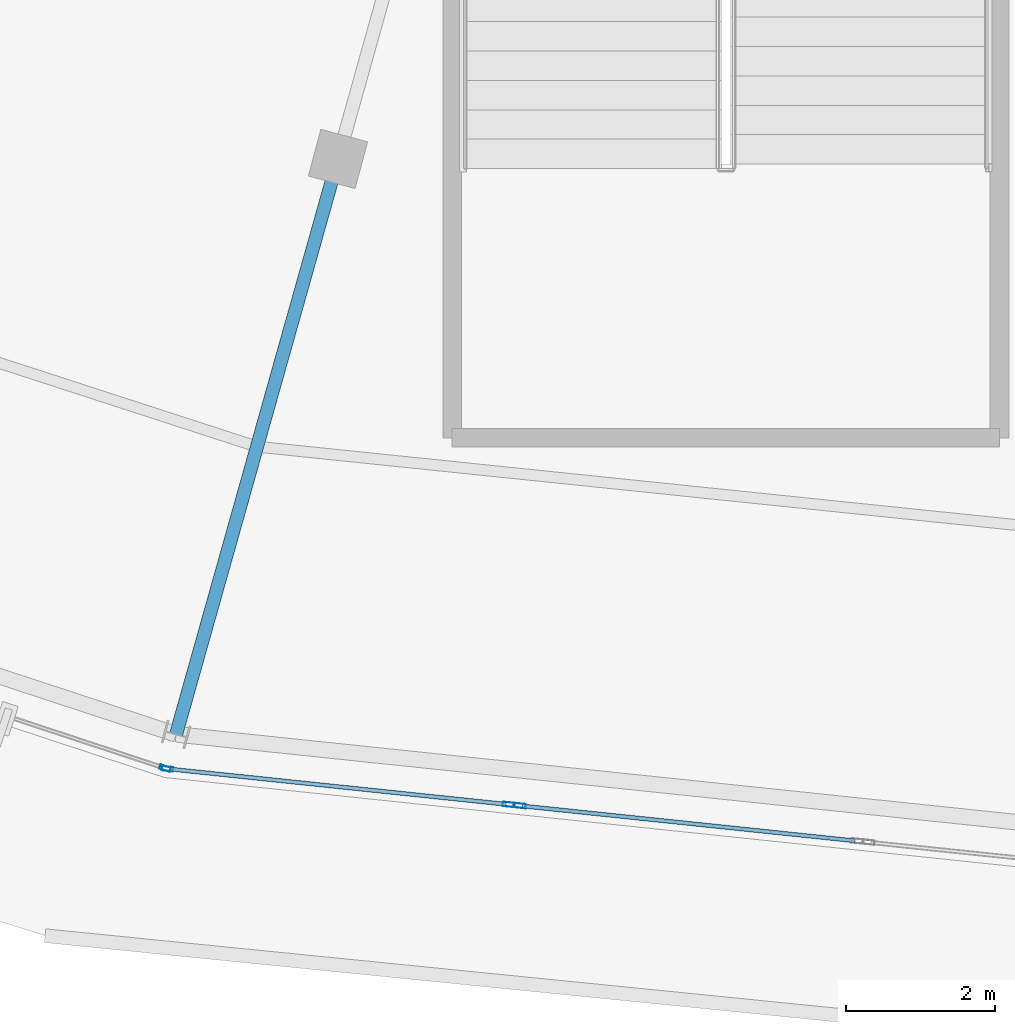
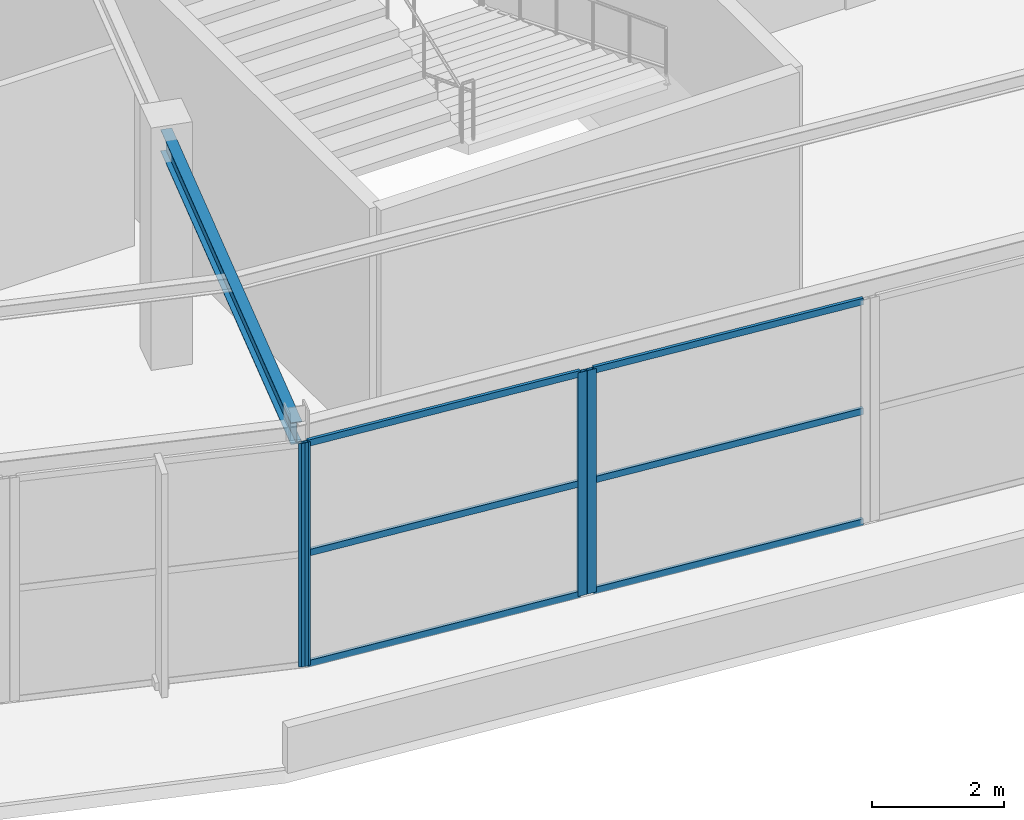
# One storey, part 33 of 126: 10 members, 1 beam, 3 elements without a shape of their own.
"""IFC4 building model written with IfcOpenShell, lengths in metres."""

import ifcopenshell
import ifcopenshell.guid

model = None  # the IFC model being written
_history = None  # IfcOwnerHistory: only IFC2X3 demands one
_inside = {}  # id of a spatial element -> (the spatial element, [elements in it])
_under = {}  # id of a project, library or spatial element -> (it, [spatial elements below it])
_declared = {}  # id of a project -> (the project, [libraries it declares])
_typed = {}  # id of a type object -> (the type object, [elements of that type])
_made_of = {}  # id of a material, layer set ... -> (it, [elements and type objects made of it])


def new_model(schema):
    """Start an empty IFC model of exactly this schema.

    Asked for "IFC4X3", IfcOpenShell would pick the latest addendum, in which some entities
    have other attributes; the version numbers below select the first issue.
    IFC2X3 requires an IfcOwnerHistory on every rooted entity: one is made here for all.
    """
    global model, _history
    if schema == "IFC4X3":
        model = ifcopenshell.file(schema_version=(4, 3, 0, 0))
    else:
        model = ifcopenshell.file(schema=schema)
    _inside.clear()
    _under.clear()
    _declared.clear()
    _typed.clear()
    _made_of.clear()
    _history = None
    if model.schema == "IFC2X3":
        org = make("IfcOrganization", Name="unknown")
        user = make(
            "IfcPersonAndOrganization",
            ThePerson=make("IfcPerson", FamilyName="unknown"),
            TheOrganization=org,
        )
        app = make(
            "IfcApplication",
            ApplicationDeveloper=org,
            Version="unknown",
            ApplicationFullName="unknown",
            ApplicationIdentifier="unknown",
        )
        _history = make(
            "IfcOwnerHistory",
            OwningUser=user,
            OwningApplication=app,
            ChangeAction="ADDED",
            CreationDate=0,
        )
    return model


def make(cls, **values):
    """One entity of the class cls with the attributes given. An attribute that is None is left unset."""
    return model.create_entity(
        cls, **{name: value for name, value in values.items() if value is not None}
    )


def rooted(cls, **values):
    """An entity with a GlobalId (a new one), such as an element, a storey or a relation."""
    return make(cls, GlobalId=ifcopenshell.guid.new(), OwnerHistory=_history, **values)


def si_unit(unit_type, name, prefix=None):
    """IfcSIUnit, for example si_unit("LENGTHUNIT", "METRE", prefix="MILLI")."""
    return make("IfcSIUnit", UnitType=unit_type, Prefix=prefix, Name=name)


def assignment(units):
    """IfcUnitAssignment: the units of a project."""
    return None if units is None else make("IfcUnitAssignment", Units=units)


def point(xyz):
    """IfcCartesianPoint."""
    return None if xyz is None else make("IfcCartesianPoint", Coordinates=xyz)


def direction(xyz):
    """IfcDirection."""
    return None if xyz is None else make("IfcDirection", DirectionRatios=xyz)


def frame(location, z_axis=None, x_axis=None):
    """IfcAxis2Placement3D, a coordinate frame: its origin and axes. An axis left out is left unset."""
    return make(
        "IfcAxis2Placement3D",
        Location=point(location),
        Axis=direction(z_axis),
        RefDirection=direction(x_axis),
    )


def frame_2d(location, x_axis=None):
    """IfcAxis2Placement2D, a coordinate frame in the plane: its origin and x axis."""
    return make(
        "IfcAxis2Placement2D", Location=point(location), RefDirection=direction(x_axis)
    )


def origin():
    """The frame at (0, 0, 0) with its axes left unset."""
    return frame((0.0, 0.0, 0.0))


def origin_2d():
    """The frame at (0, 0) in the plane with its x axis left unset."""
    return frame_2d((0.0, 0.0))


def place(relative_to, where):
    """IfcLocalPlacement: puts the frame where relative to a parent placement (None: the world)."""
    return make(
        "IfcLocalPlacement", PlacementRelTo=relative_to, RelativePlacement=where
    )


def context(
    kind, dimensions, precision=None, world=None, true_north=None, identifier=None
):
    """IfcGeometricRepresentationContext, for example the 3D "Model" context."""
    return make(
        "IfcGeometricRepresentationContext",
        ContextIdentifier=identifier,
        ContextType=kind,
        CoordinateSpaceDimension=dimensions,
        Precision=precision,
        WorldCoordinateSystem=world,
        TrueNorth=true_north,
    )


def subcontext(parent, identifier, kind, view, scale=None):
    """IfcGeometricRepresentationSubContext, for example "Body" below "Model"."""
    return make(
        "IfcGeometricRepresentationSubContext",
        ContextIdentifier=identifier,
        ContextType=kind,
        ParentContext=parent,
        TargetScale=scale,
        TargetView=view,
    )


def project(units=None, contexts=None):
    """IfcProject with its units and contexts."""
    return rooted(
        "IfcProject",
        Name="project",
        RepresentationContexts=contexts,
        UnitsInContext=assignment(units),
    )


def spatial(cls, under=None, at=None, **own):
    """A site, building, storey or space (cls), placed at a placement, below another one or the project."""
    s = rooted(cls, ObjectPlacement=at, **own)
    if under is not None:
        _under.setdefault(under.id(), (under, []))[1].append(s)
    return s


def profile(cls, at=None, kind="AREA", **sizes):
    """A parametric profile (cls). Its sizes go by their IFC names, for example OverallWidth=200.0."""
    return make(cls, ProfileType=kind, Position=at, **sizes)


def hollow_rectangle(**sizes):
    """IfcRectangleHollowProfileDef."""
    return profile("IfcRectangleHollowProfileDef", **sizes)


def i_section(**sizes):
    """IfcIShapeProfileDef."""
    return profile("IfcIShapeProfileDef", **sizes)


def extrude(swept, where, along, depth):
    """IfcExtrudedAreaSolid: the profile swept, set in the frame where, extruded along a direction by depth."""
    return make(
        "IfcExtrudedAreaSolid",
        SweptArea=swept,
        Position=where,
        ExtrudedDirection=direction(along),
        Depth=depth,
    )


def shape(context_of_items, identifier, shape_type, items):
    """IfcShapeRepresentation: the items that make up one representation, for example the "Body"."""
    return make(
        "IfcShapeRepresentation",
        ContextOfItems=context_of_items,
        RepresentationIdentifier=identifier,
        RepresentationType=shape_type,
        Items=items,
    )


def material(Name=None, Category=None):
    """IfcMaterial."""
    return make("IfcMaterial", Name=Name, Category=Category)


def layer(
    of_material, thickness, ventilated=None, Name=None, Category=None, Priority=None
):
    """IfcMaterialLayer: one layer of a wall or slab, of a material (None: an air gap)."""
    return make(
        "IfcMaterialLayer",
        Material=of_material,
        LayerThickness=thickness,
        IsVentilated=ventilated,
        Name=Name,
        Category=Category,
        Priority=Priority,
    )


def layer_set(layers, Name=None):
    """IfcMaterialLayerSet."""
    return make("IfcMaterialLayerSet", MaterialLayers=layers, LayerSetName=Name)


def material_profile(
    of_material, cross_section, Name=None, Category=None, Priority=None
):
    """IfcMaterialProfile: a cross section and its material."""
    return make(
        "IfcMaterialProfile",
        Name=Name,
        Material=of_material,
        Profile=cross_section,
        Priority=Priority,
        Category=Category,
    )


def profile_set(profiles, Name=None, composite=None):
    """IfcMaterialProfileSet."""
    return make(
        "IfcMaterialProfileSet",
        Name=Name,
        MaterialProfiles=profiles,
        CompositeProfile=composite,
    )


def made_of(thing, what):
    """Note that an element or type object is made of a material, layer set ...; save() writes the relation."""
    if what is not None:
        _made_of.setdefault(what.id(), (what, []))[1].append(thing)
    return thing


def type_object(cls, material=None, **own):
    """A type object (cls), such as IfcWallType, which elements share."""
    return made_of(rooted(cls, **own), material)


def element(
    cls,
    number,
    at=None,
    inside=None,
    cuts=None,
    type_object=None,
    material=None,
    context=None,
    identifier="Body",
    shape_type=None,
    held_by="IfcProductDefinitionShape",
    body=None,
    shapes=None,
    **own,
):
    """One element of the class cls, such as IfcWall. Its Tag is "e" and its number.

    at: its placement. inside: the storey or other place that contains it. cuts: it is an
    opening in that element (IfcRelVoidsElement). A single representation is given by context,
    identifier, shape_type and body (its items); several are given by shapes. held_by: the class
    of the entity that holds the representations. save() writes the other relations.
    """
    e = rooted(cls, Tag="e%d" % number, ObjectPlacement=at, **own)
    if body is not None:
        shapes = [shape(context, identifier, shape_type, body)]
    if shapes is not None:
        e.Representation = make(held_by, Representations=shapes)
    if inside is not None:
        _inside.setdefault(inside.id(), (inside, []))[1].append(e)
    if cuts is not None:
        rooted(
            "IfcRelVoidsElement", RelatingBuildingElement=cuts, RelatedOpeningElement=e
        )
    if type_object is not None:
        _typed.setdefault(type_object.id(), (type_object, []))[1].append(e)
    return made_of(e, material)


def aggregate(whole, parts):
    """IfcRelAggregates: a whole, such as a stair, and the parts it consists of."""
    return rooted("IfcRelAggregates", RelatingObject=whole, RelatedObjects=parts)


def save(model, path):
    """Write the relations noted so far, then the file.

    IfcRelAggregates (storeys below a building ...), IfcRelContainedInSpatialStructure (elements
    in a storey), IfcRelDefinesByType, IfcRelAssociatesMaterial and IfcRelDeclares: one each for
    every whole, place, type object, material and project.
    """
    for whole, parts in _under.values():
        aggregate(whole, parts)
    for where, things in _inside.values():
        rooted(
            "IfcRelContainedInSpatialStructure",
            RelatedElements=things,
            RelatingStructure=where,
        )
    for kind, things in _typed.values():
        rooted("IfcRelDefinesByType", RelatedObjects=things, RelatingType=kind)
    for what, things in _made_of.values():
        rooted("IfcRelAssociatesMaterial", RelatedObjects=things, RelatingMaterial=what)
    for by, libraries in _declared.values():
        rooted("IfcRelDeclares", RelatingContext=by, RelatedDefinitions=libraries)
    model.write(path)


model = new_model("IFC4")

# Units and contexts
model_context = context("Model", 3, precision=1e-05, world=origin(), true_north=direction((0.0, 1.0)))
body_context = subcontext(model_context, "Body", "Model", "MODEL_VIEW")
ifc_project = project(units=[si_unit("LENGTHUNIT", "METRE"), si_unit("AREAUNIT", "SQUARE_METRE"), si_unit("VOLUMEUNIT", "CUBIC_METRE"), si_unit("PLANEANGLEUNIT", "RADIAN"), si_unit("MASSUNIT", "GRAM", prefix="KILO")], contexts=[model_context])

# Site, building, storey
site_placement = place(None, origin())
site = spatial("IfcSite", under=ifc_project, at=site_placement, CompositionType="ELEMENT")
building_placement = place(site_placement, origin())
building = spatial("IfcBuilding", under=site, at=building_placement, Name="Kalgoora Escarpment Arena", CompositionType="ELEMENT")
storey_placement = place(building_placement, frame((0.0, 0.0, 18.89990234375)))
storey = spatial("IfcBuildingStorey", under=building, at=storey_placement, Name="L04", CompositionType="ELEMENT", Elevation=18.89990234375)

# Beam
ifc_material_1 = material(Name="Structural steel AS/NZS 3679 (300 MPa)", Category="steel")
ifc_material_profile_1 = material_profile(ifc_material_1, i_section(OverallWidth=0.177978515625, OverallDepth=0.406005859375, WebThickness=0.0078125, FlangeThickness=0.0126953125, at=origin_2d()))
ifc_profile_set_1 = profile_set([ifc_material_profile_1], Name="Structural steel AS/NZS 3679 (300 MPa)")
beam_type = type_object("IfcBeamType", Name="BM-GIRDER-410UB59.7", PredefinedType="USERDEFINED", material=ifc_profile_set_1)
beam_placement = place(storey_placement, frame((75.990966796875, 16.669677734375, 4.007080078125), z_axis=(-0.27082660355, -0.962628147734, 0.0), x_axis=(0.962628147734, -0.27082660355, 0.0)))
element("IfcBeam", 1, at=beam_placement, inside=storey, type_object=beam_type, Name="L04 Radial concourse girder 410UB59.7", ObjectType="GIRDER", PredefinedType="USERDEFINED", context=body_context, shape_type="SweptSolid", body=[
    extrude(i_section(OverallWidth=0.177978515625, OverallDepth=0.406005859375, WebThickness=0.0078125, FlangeThickness=0.0126953125, at=origin_2d()), origin(), (0.0, 0.0, 1.0), 8.027587890625),
])

# Curtain wall, member
ifc_material_2 = material(Name=" Champagne anodised aluminium & double-glazed low-E", Category="aluminium")
ifc_layer_1 = layer(ifc_material_2, 0.157958984375)
ifc_layer_set_1 = layer_set([ifc_layer_1], Name="CW-UNIT-17")
curtain_wall_type_1 = type_object("IfcCurtainWallType", Name="CW-UNIT-17", PredefinedType="NOTDEFINED", material=ifc_layer_set_1)
curtain_wall_1_placement = place(storey_placement, origin())
curtain_wall_1 = element("IfcCurtainWall", 2, at=curtain_wall_1_placement, inside=storey, type_object=curtain_wall_type_1, Name="L04 unitised facade curtain wall 116", PredefinedType="NOTDEFINED")
ifc_material_3 = material(Name="Anodised aluminium 6063-T6", Category="aluminium")
ifc_material_profile_2 = material_profile(ifc_material_3, hollow_rectangle(XDim=0.06005859375, YDim=0.14990234375, WallThickness=0.00341796875, at=origin_2d()))
ifc_profile_set_2 = profile_set([ifc_material_profile_2], Name="Anodised aluminium 6063-T6")
member_type_1 = type_object("IfcMemberType", Name="MEM-CW-MULL-150", PredefinedType="MULLION", material=ifc_profile_set_2)
member_1_placement = place(storey_placement, frame((78.438232421875, 7.983154296875, 0.02001953125), z_axis=(0.0, 0.0, 1.0), x_axis=(-0.104182310405, -0.994558216596, 0.0)))
member_1 = element("IfcMember", 3, at=member_1_placement, type_object=member_type_1, Name="CW-17 mullion 2", PredefinedType="MULLION", context=body_context, shape_type="SweptSolid", body=[
    extrude(hollow_rectangle(XDim=0.06005859375, YDim=0.14990234375, WallThickness=0.00341796875, at=origin_2d()), origin(), (0.0, 0.0, 1.0), 4.150146484375),
])

# Curtain wall, members
ifc_material_4 = material(Name=" Champagne anodised aluminium & double-glazed low-E", Category="aluminium")
ifc_layer_2 = layer(ifc_material_4, 0.162109375)
ifc_layer_set_2 = layer_set([ifc_layer_2], Name="CW-UNIT-18")
curtain_wall_type_2 = type_object("IfcCurtainWallType", Name="CW-UNIT-18", PredefinedType="NOTDEFINED", material=ifc_layer_set_2)
curtain_wall_2_placement = place(storey_placement, origin())
curtain_wall_2 = element("IfcCurtainWall", 4, at=curtain_wall_2_placement, inside=storey, type_object=curtain_wall_type_2, Name="L04 unitised facade curtain wall 117", PredefinedType="NOTDEFINED")
member_2_placement = place(storey_placement, frame((78.279052734375, 7.999755859375, 0.02001953125), z_axis=(0.0, 0.0, 1.0), x_axis=(-0.10415754759, -0.994560810247, 0.0)))
member_2 = element("IfcMember", 5, at=member_2_placement, type_object=member_type_1, Name="CW-18 mullion 1", PredefinedType="MULLION", context=body_context, shape_type="SweptSolid", body=[
    extrude(hollow_rectangle(XDim=0.06005859375, YDim=0.14990234375, WallThickness=0.00341796875, at=origin_2d()), origin(), (0.0, 0.0, 1.0), 4.150146484375),
])
member_3_placement = place(storey_placement, frame((73.703857421875, 8.478759765625, 0.02001953125), z_axis=(0.0, 0.0, 1.0), x_axis=(-0.10415754759, -0.994560810247, 0.0)))
member_3 = element("IfcMember", 6, at=member_3_placement, type_object=member_type_1, Name="CW-18 mullion 2", PredefinedType="MULLION", context=body_context, shape_type="SweptSolid", body=[
    extrude(hollow_rectangle(XDim=0.06005859375, YDim=0.14990234375, WallThickness=0.00341796875, at=origin_2d()), origin(), (0.0, 0.0, 1.0), 4.150146484375),
])

# Curtain wall, member
ifc_material_5 = material(Name=" Champagne anodised aluminium & double-glazed low-E", Category="aluminium")
ifc_layer_3 = layer(ifc_material_5, 0.166015625)
ifc_layer_set_3 = layer_set([ifc_layer_3], Name="CW-UNIT-19")
curtain_wall_type_3 = type_object("IfcCurtainWallType", Name="CW-UNIT-19", PredefinedType="NOTDEFINED", material=ifc_layer_set_3)
curtain_wall_3_placement = place(storey_placement, origin())
curtain_wall_3 = element("IfcCurtainWall", 7, at=curtain_wall_3_placement, inside=storey, type_object=curtain_wall_type_3, Name="L04 unitised facade curtain wall 118", PredefinedType="NOTDEFINED")
member_4_placement = place(storey_placement, frame((73.670654296875, 8.486083984375, 0.02001953125), z_axis=(0.0, 0.0, 1.0), x_axis=(-0.312979322933, -0.949759939888, 0.0)))
member_4 = element("IfcMember", 8, at=member_4_placement, type_object=member_type_1, Name="CW-19 mullion 1", PredefinedType="MULLION", context=body_context, shape_type="SweptSolid", body=[
    extrude(hollow_rectangle(XDim=0.06005859375, YDim=0.14990234375, WallThickness=0.00341796875, at=origin_2d()), origin(), (0.0, 0.0, 1.0), 4.150146484375),
])
aggregate(curtain_wall_3, [member_4])

# Member
ifc_material_6 = material(Name="Anodised aluminium 6063-T6", Category="aluminium")
ifc_material_profile_3 = material_profile(ifc_material_6, hollow_rectangle(XDim=0.054931640625, YDim=0.1201171875, WallThickness=0.003173828125, at=origin_2d()))
ifc_profile_set_3 = profile_set([ifc_material_profile_3], Name="Anodised aluminium 6063-T6")
member_type_2 = type_object("IfcMemberType", Name="MEM-CW-TRAN-120", PredefinedType="USERDEFINED", material=ifc_profile_set_3)
member_5_placement = place(storey_placement, frame((82.933837890625, 7.51220703125, 0.047607421875), z_axis=(-0.994558948875, 0.104175319596, 0.0), x_axis=(-0.104175319596, -0.994558948875, 0.0)))
member_5 = element("IfcMember", 9, at=member_5_placement, type_object=member_type_2, Name="CW-17 transom 1.1", ObjectType="TRANSOM", PredefinedType="USERDEFINED", context=body_context, shape_type="SweptSolid", body=[
    extrude(hollow_rectangle(XDim=0.054931640625, YDim=0.1201171875, WallThickness=0.003173828125, at=origin_2d()), origin(), (0.0, 0.0, 1.0), 4.490234375),
])

member_6_placement = place(storey_placement, frame((82.933837890625, 7.51220703125, 2.10498046875), z_axis=(-0.994558948875, 0.104175319596, 0.0), x_axis=(-0.104175319596, -0.994558948875, 0.0)))
member_6 = element("IfcMember", 10, at=member_6_placement, type_object=member_type_2, Name="CW-17 transom 1.2", ObjectType="TRANSOM", PredefinedType="USERDEFINED", context=body_context, shape_type="SweptSolid", body=[
    extrude(hollow_rectangle(XDim=0.054931640625, YDim=0.1201171875, WallThickness=0.003173828125, at=origin_2d()), origin(), (0.0, 0.0, 1.0), 4.490234375),
])

member_7_placement = place(storey_placement, frame((82.933837890625, 7.51220703125, 4.142578125), z_axis=(-0.994558948875, 0.104175319596, 0.0), x_axis=(-0.104175319596, -0.994558948875, 0.0)))
member_7 = element("IfcMember", 11, at=member_7_placement, type_object=member_type_2, Name="CW-17 transom 1.3", ObjectType="TRANSOM", PredefinedType="USERDEFINED", context=body_context, shape_type="SweptSolid", body=[
    extrude(hollow_rectangle(XDim=0.054931640625, YDim=0.1201171875, WallThickness=0.003173828125, at=origin_2d()), origin(), (0.0, 0.0, 1.0), 4.490234375),
])

aggregate(curtain_wall_1, [member_1, member_5, member_6, member_7])

member_8_placement = place(storey_placement, frame((78.249267578125, 8.0029296875, 0.047607421875), z_axis=(-0.994560999051, 0.104155744764, 0.0), x_axis=(-0.104155744764, -0.994560999051, 0.0)))
member_8 = element("IfcMember", 12, at=member_8_placement, type_object=member_type_2, Name="CW-18 transom 1.1", ObjectType="TRANSOM", PredefinedType="USERDEFINED", context=body_context, shape_type="SweptSolid", body=[
    extrude(hollow_rectangle(XDim=0.054931640625, YDim=0.1201171875, WallThickness=0.003173828125, at=origin_2d()), origin(), (0.0, 0.0, 1.0), 4.540283203125),
])

member_9_placement = place(storey_placement, frame((78.249267578125, 8.0029296875, 2.10498046875), z_axis=(-0.994560999051, 0.104155744764, 0.0), x_axis=(-0.104155744764, -0.994560999051, 0.0)))
member_9 = element("IfcMember", 13, at=member_9_placement, type_object=member_type_2, Name="CW-18 transom 1.2", ObjectType="TRANSOM", PredefinedType="USERDEFINED", context=body_context, shape_type="SweptSolid", body=[
    extrude(hollow_rectangle(XDim=0.054931640625, YDim=0.1201171875, WallThickness=0.003173828125, at=origin_2d()), origin(), (0.0, 0.0, 1.0), 4.540283203125),
])

member_10_placement = place(storey_placement, frame((78.249267578125, 8.0029296875, 4.142578125), z_axis=(-0.994560999051, 0.104155744764, 0.0), x_axis=(-0.104155744764, -0.994560999051, 0.0)))
member_10 = element("IfcMember", 14, at=member_10_placement, type_object=member_type_2, Name="CW-18 transom 1.3", ObjectType="TRANSOM", PredefinedType="USERDEFINED", context=body_context, shape_type="SweptSolid", body=[
    extrude(hollow_rectangle(XDim=0.054931640625, YDim=0.1201171875, WallThickness=0.003173828125, at=origin_2d()), origin(), (0.0, 0.0, 1.0), 4.540283203125),
])

aggregate(curtain_wall_2, [member_2, member_3, member_8, member_9, member_10])

save(model, "model.ifc")
